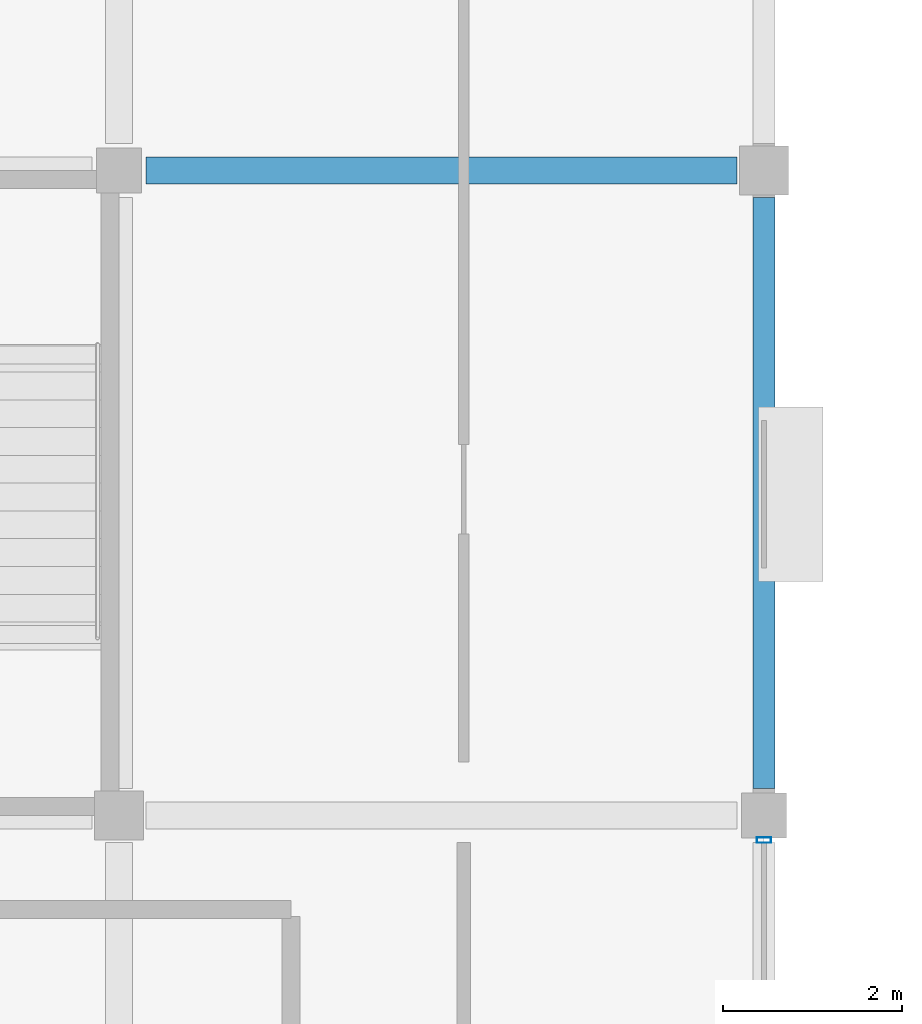
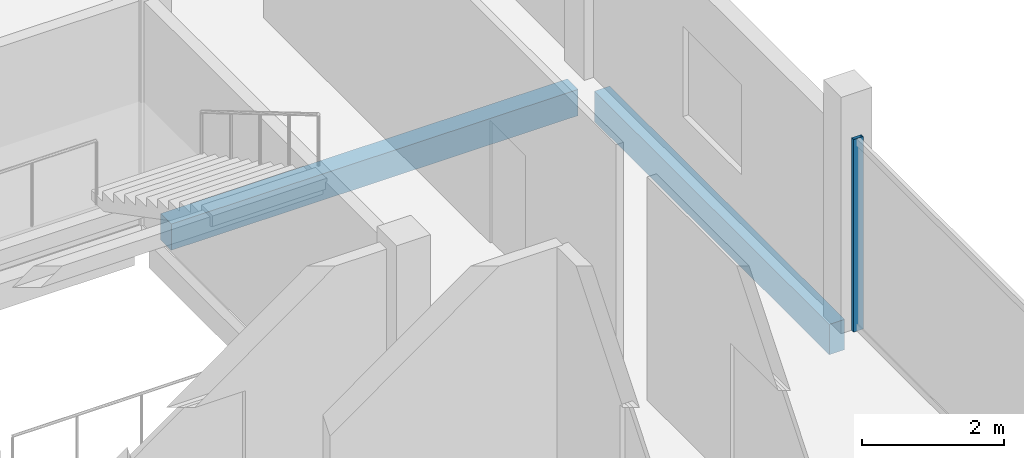
# One storey, part 4 of 15: 2 beams, 1 member, 1 element without a shape of its own.
"""IFC4 building model written with IfcOpenShell, lengths in metres."""

from ifc_helpers import new_model, si_unit, direction, frame, origin, origin_2d, place, context, subcontext, project, spatial, rectangle, hollow_rectangle, extrude, material, layer, layer_set, material_profile, profile_set, type_object, element, aggregate, save


model = new_model("IFC4")

# Units and contexts
model_context = context("Model", 3, precision=1e-05, world=origin(), true_north=direction((0.0, 1.0)))
body_context = subcontext(model_context, "Body", "Model", "MODEL_VIEW")
ifc_project = project(units=[si_unit("LENGTHUNIT", "METRE"), si_unit("AREAUNIT", "SQUARE_METRE"), si_unit("VOLUMEUNIT", "CUBIC_METRE"), si_unit("PLANEANGLEUNIT", "RADIAN"), si_unit("MASSUNIT", "GRAM", prefix="KILO")], contexts=[model_context])

# Site, building, storey
site_placement = place(None, origin())
site = spatial("IfcSite", under=ifc_project, at=site_placement, CompositionType="ELEMENT")
building_placement = place(site_placement, origin())
building = spatial("IfcBuilding", under=site, at=building_placement, Name="Kangsadwip Square Police Headquarters", CompositionType="ELEMENT")
storey_placement = place(building_placement, frame((0.0, 0.0, 29.699951171875)))
storey = spatial("IfcBuildingStorey", under=building, at=storey_placement, Name="L07", CompositionType="ELEMENT", Elevation=29.699951171875)

# Curtain wall, member
ifc_material_1 = material(Name="Thermally broken anodised aluminium AW-6063-T6", Category="aluminium")
ifc_layer = layer(ifc_material_1, 0.159912109375)
ifc_layer_set = layer_set([ifc_layer], Name="Thermally broken anodised aluminium AW-6063-T6")
curtain_wall_type = type_object("IfcCurtainWallType", Name="CourtScreen6685x3300", PredefinedType="USERDEFINED", material=ifc_layer_set)
curtain_wall_placement = place(storey_placement, origin())
curtain_wall = element("IfcCurtainWall", 1, at=curtain_wall_placement, inside=storey, type_object=curtain_wall_type, Name="Curtain Wall CW-L07-0216-0651", ObjectType="GLAZED_SCREEN", PredefinedType="USERDEFINED")
ifc_material_2 = material(Name="Thermally broken anodised aluminium AW-6063-T6", Category="aluminium")
ifc_material_profile_1 = material_profile(ifc_material_2, hollow_rectangle(XDim=0.06005859375, YDim=0.159912109375, WallThickness=0.00390625, at=origin_2d()), Name="CWM 160X60X4")
ifc_profile_set_1 = profile_set([ifc_material_profile_1], Name="Thermally broken anodised aluminium AW-6063-T6")
member_type = type_object("IfcMemberType", Name="CwMullion135x60", PredefinedType="MULLION", material=ifc_profile_set_1)
member_placement = place(storey_placement, frame((21.60009765625, 71.72509765625, 0.0), z_axis=(0.0, 0.0, 1.0), x_axis=(0.0, 1.0, 0.0)))
member = element("IfcMember", 2, at=member_placement, type_object=member_type, Name="CW-53 mullion 2", PredefinedType="MULLION", context=body_context, shape_type="SweptSolid", body=[
    extrude(hollow_rectangle(XDim=0.06005859375, YDim=0.159912109375, WallThickness=0.00390625, at=origin_2d()), origin(), (0.0, 0.0, 1.0), 3.300048828125),
])
aggregate(curtain_wall, [member])

# Beams
ifc_material_3 = material(Name="Concrete M35 (35 MPa)", Category="concrete")
ifc_material_profile_2 = material_profile(ifc_material_3, rectangle(XDim=0.300048828125, YDim=0.449951171875, at=origin_2d()), Name="RC BM 450X300")
ifc_profile_set_2 = profile_set([ifc_material_profile_2], Name="Concrete M35 (35 MPa)")
beam_type_1 = type_object("IfcBeamType", Name="RcBeam450x300", PredefinedType="BEAM", material=ifc_profile_set_2)
beam_1_placement = place(storey_placement, frame((14.699951171875, 79.199951171875, -0.445068359375), z_axis=(1.0, 0.0, 0.0), x_axis=(0.0, 1.0, 0.0)))
element("IfcBeam", 3, at=beam_1_placement, inside=storey, type_object=beam_type_1, Name="Beam BM-L07-X-02-11", PredefinedType="BEAM", context=body_context, shape_type="SweptSolid", body=[
    extrude(rectangle(XDim=0.300048828125, YDim=0.449951171875, at=origin_2d()), origin(), (0.0, 0.0, 1.0), 6.60009765625),
])
ifc_material_4 = material(Name="Concrete M35 (35 MPa)", Category="concrete")
ifc_material_profile_3 = material_profile(ifc_material_4, rectangle(XDim=0.25, YDim=0.52001953125, at=origin_2d()), Name="RC SPN 520X250")
ifc_profile_set_3 = profile_set([ifc_material_profile_3], Name="Concrete M35 (35 MPa)")
beam_type_2 = type_object("IfcBeamType", Name="RcSpandrel520x250", PredefinedType="SPANDREL", material=ifc_profile_set_3)
beam_2_placement = place(storey_placement, frame((21.60009765625, 72.300048828125, -0.47998046875), z_axis=(0.0, 1.0, 0.0), x_axis=(-1.0, 0.0, 0.0)))
element("IfcBeam", 4, at=beam_2_placement, inside=storey, type_object=beam_type_2, Name="Beam BM-L07-Y-03-10", PredefinedType="SPANDREL", context=body_context, shape_type="SweptSolid", body=[
    extrude(rectangle(XDim=0.25, YDim=0.52001953125, at=origin_2d()), origin(), (0.0, 0.0, 1.0), 6.599853515625),
])

save(model, "model.ifc")
